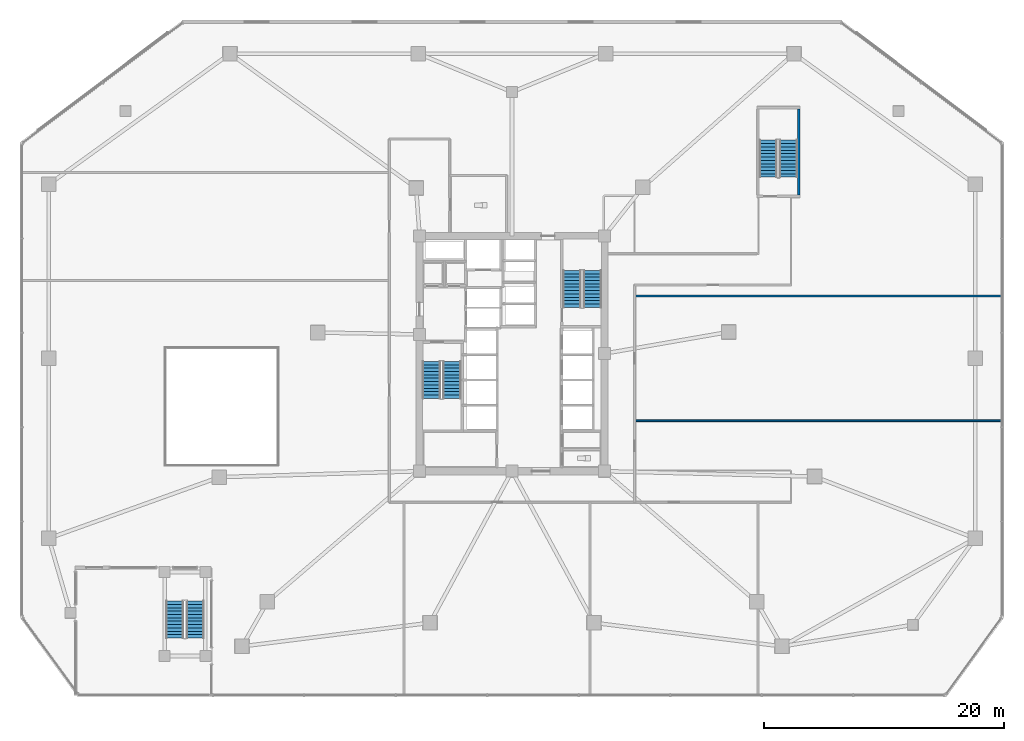
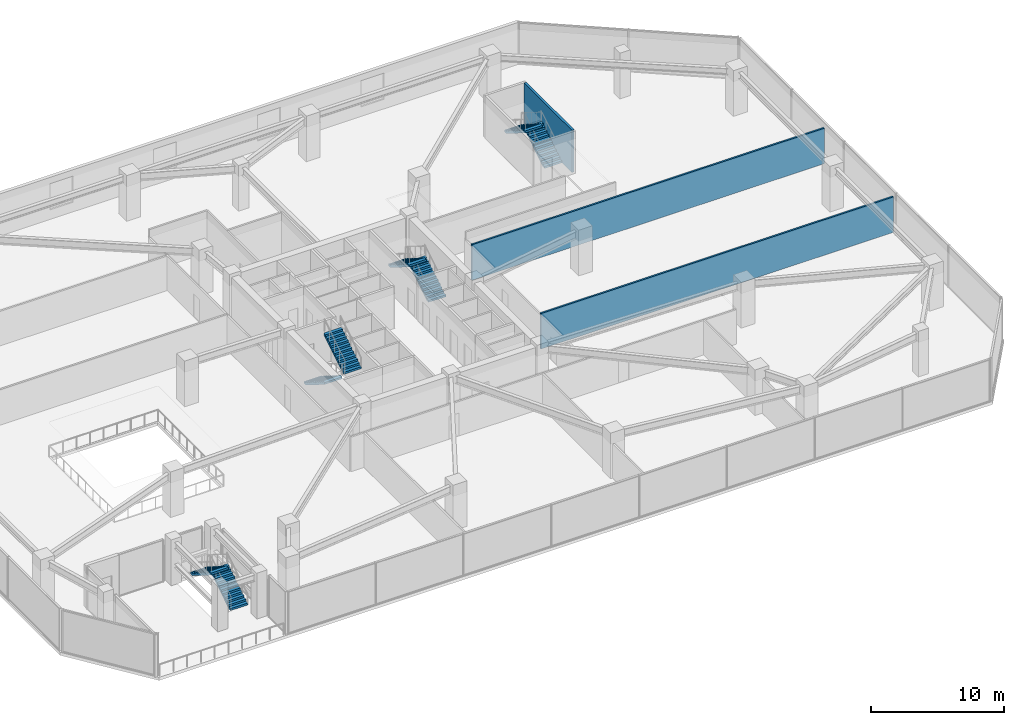
# One storey, part 13 of 22: 8 stair flights, 3 walls, 4 elements without a shape of their own.
"""IFC4 building model written with IfcOpenShell, lengths in metres."""

from ifc_helpers import new_model, si_unit, direction, frame, frame_2d, origin, place, context, subcontext, project, spatial, polyline, rectangle, outline, extrude, material, layer, layer_set, type_object, element, aggregate, save


model = new_model("IFC4")

# Units and contexts
model_context = context("Model", 3, precision=1e-05, world=origin(), true_north=direction((0.0, 1.0)))
body_context = subcontext(model_context, "Body", "Model", "MODEL_VIEW")
ifc_project = project(units=[si_unit("LENGTHUNIT", "METRE"), si_unit("AREAUNIT", "SQUARE_METRE"), si_unit("VOLUMEUNIT", "CUBIC_METRE"), si_unit("PLANEANGLEUNIT", "RADIAN"), si_unit("MASSUNIT", "GRAM", prefix="KILO")], contexts=[model_context])

# Site, building, storey
site_placement = place(None, origin())
site = spatial("IfcSite", under=ifc_project, at=site_placement, CompositionType="ELEMENT")
building_placement = place(site_placement, origin())
building = spatial("IfcBuilding", under=site, at=building_placement, Name="Savorim Split Tower", CompositionType="ELEMENT")
storey_placement = place(building_placement, frame((0.0, 0.0, 17.60009765625)))
storey = spatial("IfcBuildingStorey", under=building, at=storey_placement, Name="L04", CompositionType="ELEMENT", Elevation=17.60009765625)

# Walls
ifc_material_1 = material(Name="Concrete C50/60", Category="concrete")
ifc_layer_1 = layer(ifc_material_1, 0.199951171875)
ifc_layer_set_1 = layer_set([ifc_layer_1], Name="WAL-INT-RC200")
wall_type_1 = type_object("IfcWallType", Name="WAL-INT-RC200", PredefinedType="SOLIDWALL", material=ifc_layer_set_1)
wall_placement = place(storey_placement, frame((23.89990234375, 13.60009765625, 0.0), z_axis=(0.0, 0.0, 1.0), x_axis=(0.0, 1.0, 0.0)))
element("IfcWall", 1, at=wall_placement, inside=storey, type_object=wall_type_1, Name="L04 Structural Shaft Wall W-L04-ST3E", PredefinedType="SOLIDWALL", context=body_context, shape_type="SweptSolid", body=[
    extrude(rectangle(XDim=7.199951171875, YDim=0.199951171875, at=frame_2d((3.60009765625, 0.0))), origin(), (0.0, 0.0, 1.0), 3.8798828125),
])
ifc_material_2 = material(Name="Acoustic Gypsum Partition Board")
ifc_layer_2 = layer(ifc_material_2, 0.14990234375)
ifc_layer_set_2 = layer_set([ifc_layer_2], Name="WAL-PAR-150")
wall_type_2 = type_object("IfcWallType", Name="WAL-PAR-150", PredefinedType="PARTITIONING", material=ifc_layer_set_2)
for number, where, z_axis, x_axis, name in (
    (2, (10.219970703125, 5.199951171875, 0.0), (0.0, 0.0, 1.0), (1.0, 0.0, 0.0), "L04 Partition W-L04-PD2"),
    (3, (10.219970703125, -5.199951171875, 0.0), (0.0, 0.0, 1.0), (1.0, 0.0, 0.0), "L04 Partition W-L04-PD3C"),
):
    element("IfcWall", number, at=place(storey_placement, frame(where, z_axis=z_axis, x_axis=x_axis)), inside=storey, type_object=wall_type_2, Name=name, PredefinedType="PARTITIONING", context=body_context, shape_type="SweptSolid", body=[
        extrude(rectangle(XDim=30.60009765625, YDim=0.14990234375, at=frame_2d((15.300048828125, 0.0))), origin(), (0.0, 0.0, 1.0), 3.264892578125),
    ])

# Stair, stair flights
stair_type = type_object("IfcStairType", Name="STR-DOG-4200", PredefinedType="HALF_TURN_STAIR", material=ifc_material_1)
stair_1_placement = place(storey_placement, origin())
stair_1 = element("IfcStair", 4, at=stair_1_placement, inside=storey, type_object=stair_type, Name="L04 Core Protected Exit Stair ST-1", PredefinedType="HALF_TURN_STAIR")
stair_flight_type = type_object("IfcStairFlightType", Name="SFL-DOG-4200", PredefinedType="STRAIGHT", material=ifc_material_1)
stair_flight_1_placement = place(storey_placement, frame((-6.699951171875, -0.25, 0.0), z_axis=(0.0, 0.0, 1.0), x_axis=(0.0, -1.0, 0.0)))
stair_flight_1 = element("IfcStairFlight", 5, at=stair_flight_1_placement, type_object=stair_flight_type, Name="ST-1 flight 1", NumberOfRisers=12, NumberOfTreads=11, PredefinedType="STRAIGHT", RiserHeight=0.175, TreadLength=0.28, context=body_context, shape_type="SweptSolid", body=[
    extrude(outline(polyline([(0.0, 0.0), (0.0, 0.175048828125), (0.280029296875, 0.175048828125), (0.280029296875, 0.35009765625), (0.56005859375, 0.35009765625), (0.56005859375, 0.52490234375), (0.840087890625, 0.52490234375), (0.840087890625, 0.699951171875), (1.1201171875, 0.699951171875), (1.1201171875, 0.875), (1.39990234375, 0.875), (1.39990234375, 1.050048828125), (1.679931640625, 1.050048828125), (1.679931640625, 1.22509765625), (1.9599609375, 1.22509765625), (1.9599609375, 1.39990234375), (2.239990234375, 1.39990234375), (2.239990234375, 1.574951171875), (2.52001953125, 1.574951171875), (2.52001953125, 1.75), (2.800048828125, 1.75), (2.800048828125, 1.925048828125), (3.080078125, 1.925048828125), (3.080078125, 2.10009765625), (3.080078125, 1.748291015625), (0.28271484375, 0.0), (0.0, 0.0)])), frame((0.0, 0.75, 0.0), z_axis=(0.0, -1.0, 0.0), x_axis=(1.0, 0.0, 0.0)), (0.0, 0.0, 1.0), 1.5),
])
stair_flight_2_placement = place(storey_placement, frame((-5.0, -3.330078125, 2.099853515625), z_axis=(0.0, 0.0, 1.0), x_axis=(0.0, 1.0, 0.0)))
stair_flight_2 = element("IfcStairFlight", 6, at=stair_flight_2_placement, type_object=stair_flight_type, Name="ST-1 flight 2", NumberOfRisers=12, NumberOfTreads=11, PredefinedType="STRAIGHT", RiserHeight=0.175, TreadLength=0.28, context=body_context, shape_type="SweptSolid", body=[
    extrude(outline(polyline([(0.0, 0.0), (0.0, 0.175048828125), (0.280029296875, 0.175048828125), (0.280029296875, 0.35009765625), (0.56005859375, 0.35009765625), (0.56005859375, 0.52490234375), (0.840087890625, 0.52490234375), (0.840087890625, 0.699951171875), (1.1201171875, 0.699951171875), (1.1201171875, 0.875), (1.39990234375, 0.875), (1.39990234375, 1.050048828125), (1.679931640625, 1.050048828125), (1.679931640625, 1.22509765625), (1.9599609375, 1.22509765625), (1.9599609375, 1.39990234375), (2.239990234375, 1.39990234375), (2.239990234375, 1.574951171875), (2.52001953125, 1.574951171875), (2.52001953125, 1.75), (2.800048828125, 1.75), (2.800048828125, 1.925048828125), (3.080078125, 1.925048828125), (3.080078125, 2.10009765625), (3.080078125, 1.748291015625), (0.28271484375, 0.0), (0.0, 0.0)])), frame((0.0, 0.75, 0.0), z_axis=(0.0, -1.0, 0.0), x_axis=(1.0, 0.0, 0.0)), (0.0, 0.0, 1.0), 1.5),
])
aggregate(stair_1, [stair_flight_1, stair_flight_2])

stair_2_placement = place(storey_placement, origin())
stair_2 = element("IfcStair", 7, at=stair_2_placement, inside=storey, type_object=stair_type, Name="L04 Core Protected Exit Stair ST-2", PredefinedType="HALF_TURN_STAIR")
stair_flight_3_placement = place(storey_placement, frame((6.699951171875, 4.25, 0.0), z_axis=(0.0, 0.0, 1.0), x_axis=(0.0, 1.0, 0.0)))
stair_flight_3 = element("IfcStairFlight", 8, at=stair_flight_3_placement, type_object=stair_flight_type, Name="ST-2 flight 1", NumberOfRisers=12, NumberOfTreads=11, PredefinedType="STRAIGHT", RiserHeight=0.175, TreadLength=0.28, context=body_context, shape_type="SweptSolid", body=[
    extrude(outline(polyline([(0.0, 0.0), (0.0, 0.175048828125), (0.280029296875, 0.175048828125), (0.280029296875, 0.35009765625), (0.56005859375, 0.35009765625), (0.56005859375, 0.52490234375), (0.840087890625, 0.52490234375), (0.840087890625, 0.699951171875), (1.1201171875, 0.699951171875), (1.1201171875, 0.875), (1.39990234375, 0.875), (1.39990234375, 1.050048828125), (1.679931640625, 1.050048828125), (1.679931640625, 1.22509765625), (1.9599609375, 1.22509765625), (1.9599609375, 1.39990234375), (2.239990234375, 1.39990234375), (2.239990234375, 1.574951171875), (2.52001953125, 1.574951171875), (2.52001953125, 1.75), (2.800048828125, 1.75), (2.800048828125, 1.925048828125), (3.080078125, 1.925048828125), (3.080078125, 2.10009765625), (3.080078125, 1.748291015625), (0.28271484375, 0.0), (0.0, 0.0)])), frame((0.0, 0.75, 0.0), z_axis=(0.0, -1.0, 0.0), x_axis=(1.0, 0.0, 0.0)), (0.0, 0.0, 1.0), 1.5),
])
stair_flight_4_placement = place(storey_placement, frame((5.0, 7.330078125, 2.099853515625), z_axis=(0.0, 0.0, 1.0), x_axis=(0.0, -1.0, 0.0)))
stair_flight_4 = element("IfcStairFlight", 9, at=stair_flight_4_placement, type_object=stair_flight_type, Name="ST-2 flight 2", NumberOfRisers=12, NumberOfTreads=11, PredefinedType="STRAIGHT", RiserHeight=0.175, TreadLength=0.28, context=body_context, shape_type="SweptSolid", body=[
    extrude(outline(polyline([(0.0, 0.0), (0.0, 0.175048828125), (0.280029296875, 0.175048828125), (0.280029296875, 0.35009765625), (0.56005859375, 0.35009765625), (0.56005859375, 0.52490234375), (0.840087890625, 0.52490234375), (0.840087890625, 0.699951171875), (1.1201171875, 0.699951171875), (1.1201171875, 0.875), (1.39990234375, 0.875), (1.39990234375, 1.050048828125), (1.679931640625, 1.050048828125), (1.679931640625, 1.22509765625), (1.9599609375, 1.22509765625), (1.9599609375, 1.39990234375), (2.239990234375, 1.39990234375), (2.239990234375, 1.574951171875), (2.52001953125, 1.574951171875), (2.52001953125, 1.75), (2.800048828125, 1.75), (2.800048828125, 1.925048828125), (3.080078125, 1.925048828125), (3.080078125, 2.10009765625), (3.080078125, 1.748291015625), (0.28271484375, 0.0), (0.0, 0.0)])), frame((0.0, 0.75, 0.0), z_axis=(0.0, -1.0, 0.0), x_axis=(1.0, 0.0, 0.0)), (0.0, 0.0, 1.0), 1.5),
])
aggregate(stair_2, [stair_flight_3, stair_flight_4])

stair_3_placement = place(storey_placement, origin())
stair_3 = element("IfcStair", 10, at=stair_3_placement, inside=storey, type_object=stair_type, Name="L04 Podium Protected Garden Exit Stair ST-3", PredefinedType="HALF_TURN_STAIR")
stair_flight_5_placement = place(storey_placement, frame((23.050048828125, 15.10009765625, 0.0), z_axis=(0.0, 0.0, 1.0), x_axis=(0.0, 1.0, 0.0)))
stair_flight_5 = element("IfcStairFlight", 11, at=stair_flight_5_placement, type_object=stair_flight_type, Name="ST-3 flight 1", NumberOfRisers=12, NumberOfTreads=11, PredefinedType="STRAIGHT", RiserHeight=0.175, TreadLength=0.28, context=body_context, shape_type="SweptSolid", body=[
    extrude(outline(polyline([(0.0, 0.0), (0.0, 0.175048828125), (0.280029296875, 0.175048828125), (0.280029296875, 0.35009765625), (0.56005859375, 0.35009765625), (0.56005859375, 0.52490234375), (0.840087890625, 0.52490234375), (0.840087890625, 0.699951171875), (1.1201171875, 0.699951171875), (1.1201171875, 0.875), (1.39990234375, 0.875), (1.39990234375, 1.050048828125), (1.679931640625, 1.050048828125), (1.679931640625, 1.22509765625), (1.9599609375, 1.22509765625), (1.9599609375, 1.39990234375), (2.239990234375, 1.39990234375), (2.239990234375, 1.574951171875), (2.52001953125, 1.574951171875), (2.52001953125, 1.75), (2.800048828125, 1.75), (2.800048828125, 1.925048828125), (3.080078125, 1.925048828125), (3.080078125, 2.10009765625), (3.080078125, 1.748291015625), (0.28271484375, 0.0), (0.0, 0.0)])), frame((0.0, 0.75, 0.0), z_axis=(0.0, -1.0, 0.0), x_axis=(1.0, 0.0, 0.0)), (0.0, 0.0, 1.0), 1.5),
])
stair_flight_6_placement = place(storey_placement, frame((21.35009765625, 18.179931640625, 2.099853515625), z_axis=(0.0, 0.0, 1.0), x_axis=(0.0, -1.0, 0.0)))
stair_flight_6 = element("IfcStairFlight", 12, at=stair_flight_6_placement, type_object=stair_flight_type, Name="ST-3 flight 2", NumberOfRisers=12, NumberOfTreads=11, PredefinedType="STRAIGHT", RiserHeight=0.175, TreadLength=0.28, context=body_context, shape_type="SweptSolid", body=[
    extrude(outline(polyline([(0.0, 0.0), (0.0, 0.175048828125), (0.280029296875, 0.175048828125), (0.280029296875, 0.35009765625), (0.56005859375, 0.35009765625), (0.56005859375, 0.52490234375), (0.840087890625, 0.52490234375), (0.840087890625, 0.699951171875), (1.1201171875, 0.699951171875), (1.1201171875, 0.875), (1.39990234375, 0.875), (1.39990234375, 1.050048828125), (1.679931640625, 1.050048828125), (1.679931640625, 1.22509765625), (1.9599609375, 1.22509765625), (1.9599609375, 1.39990234375), (2.239990234375, 1.39990234375), (2.239990234375, 1.574951171875), (2.52001953125, 1.574951171875), (2.52001953125, 1.75), (2.800048828125, 1.75), (2.800048828125, 1.925048828125), (3.080078125, 1.925048828125), (3.080078125, 2.10009765625), (3.080078125, 1.748291015625), (0.28271484375, 0.0), (0.0, 0.0)])), frame((0.0, 0.75, 0.0), z_axis=(0.0, -1.0, 0.0), x_axis=(1.0, 0.0, 0.0)), (0.0, 0.0, 1.0), 1.5),
])
aggregate(stair_3, [stair_flight_5, stair_flight_6])

stair_4_placement = place(storey_placement, origin())
stair_4 = element("IfcStair", 13, at=stair_4_placement, inside=storey, type_object=stair_type, Name="L04 Exterior Stepped Public Garden Stair ST-GDN", PredefinedType="HALF_TURN_STAIR")
stair_flight_7_placement = place(storey_placement, frame((-26.39990234375, -23.300048828125, 0.0), z_axis=(0.0, 0.0, 1.0), x_axis=(0.0, 1.0, 0.0)))
stair_flight_7 = element("IfcStairFlight", 14, at=stair_flight_7_placement, type_object=stair_flight_type, Name="ST-GDN flight 1", NumberOfRisers=12, NumberOfTreads=11, PredefinedType="STRAIGHT", RiserHeight=0.175, TreadLength=0.28, context=body_context, shape_type="SweptSolid", body=[
    extrude(outline(polyline([(0.0, 0.0), (0.0, 0.175048828125), (0.280029296875, 0.175048828125), (0.280029296875, 0.35009765625), (0.56005859375, 0.35009765625), (0.56005859375, 0.52490234375), (0.840087890625, 0.52490234375), (0.840087890625, 0.699951171875), (1.1201171875, 0.699951171875), (1.1201171875, 0.875), (1.39990234375, 0.875), (1.39990234375, 1.050048828125), (1.679931640625, 1.050048828125), (1.679931640625, 1.22509765625), (1.9599609375, 1.22509765625), (1.9599609375, 1.39990234375), (2.239990234375, 1.39990234375), (2.239990234375, 1.574951171875), (2.52001953125, 1.574951171875), (2.52001953125, 1.75), (2.800048828125, 1.75), (2.800048828125, 1.925048828125), (3.080078125, 1.925048828125), (3.080078125, 2.10009765625), (3.080078125, 1.748291015625), (0.28271484375, 0.0), (0.0, 0.0)])), frame((0.0, 0.75, 0.0), z_axis=(0.0, -1.0, 0.0), x_axis=(1.0, 0.0, 0.0)), (0.0, 0.0, 1.0), 1.5),
])
stair_flight_8_placement = place(storey_placement, frame((-28.10009765625, -20.219970703125, 2.099853515625), z_axis=(0.0, 0.0, 1.0), x_axis=(0.0, -1.0, 0.0)))
stair_flight_8 = element("IfcStairFlight", 15, at=stair_flight_8_placement, type_object=stair_flight_type, Name="ST-GDN flight 2", NumberOfRisers=12, NumberOfTreads=11, PredefinedType="STRAIGHT", RiserHeight=0.175, TreadLength=0.28, context=body_context, shape_type="SweptSolid", body=[
    extrude(outline(polyline([(0.0, 0.0), (0.0, 0.175048828125), (0.280029296875, 0.175048828125), (0.280029296875, 0.35009765625), (0.56005859375, 0.35009765625), (0.56005859375, 0.52490234375), (0.840087890625, 0.52490234375), (0.840087890625, 0.699951171875), (1.1201171875, 0.699951171875), (1.1201171875, 0.875), (1.39990234375, 0.875), (1.39990234375, 1.050048828125), (1.679931640625, 1.050048828125), (1.679931640625, 1.22509765625), (1.9599609375, 1.22509765625), (1.9599609375, 1.39990234375), (2.239990234375, 1.39990234375), (2.239990234375, 1.574951171875), (2.52001953125, 1.574951171875), (2.52001953125, 1.75), (2.800048828125, 1.75), (2.800048828125, 1.925048828125), (3.080078125, 1.925048828125), (3.080078125, 2.10009765625), (3.080078125, 1.748291015625), (0.28271484375, 0.0), (0.0, 0.0)])), frame((0.0, 0.75, 0.0), z_axis=(0.0, -1.0, 0.0), x_axis=(1.0, 0.0, 0.0)), (0.0, 0.0, 1.0), 1.5),
])
aggregate(stair_4, [stair_flight_7, stair_flight_8])

save(model, "model.ifc")
